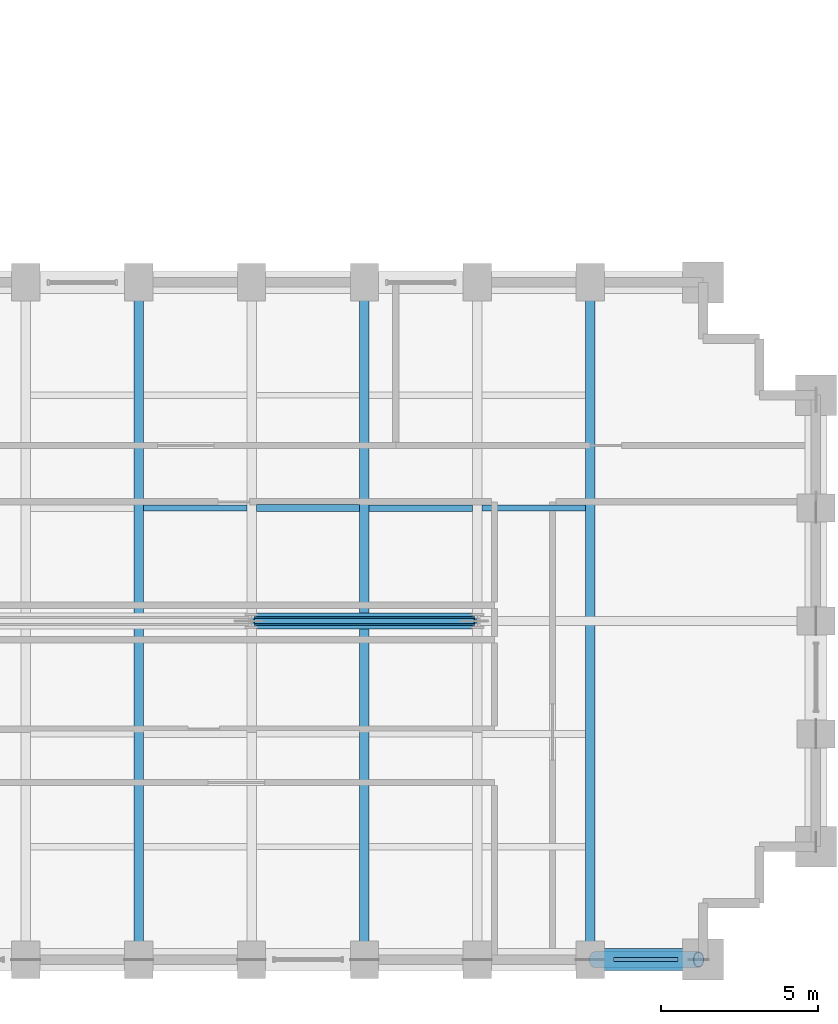
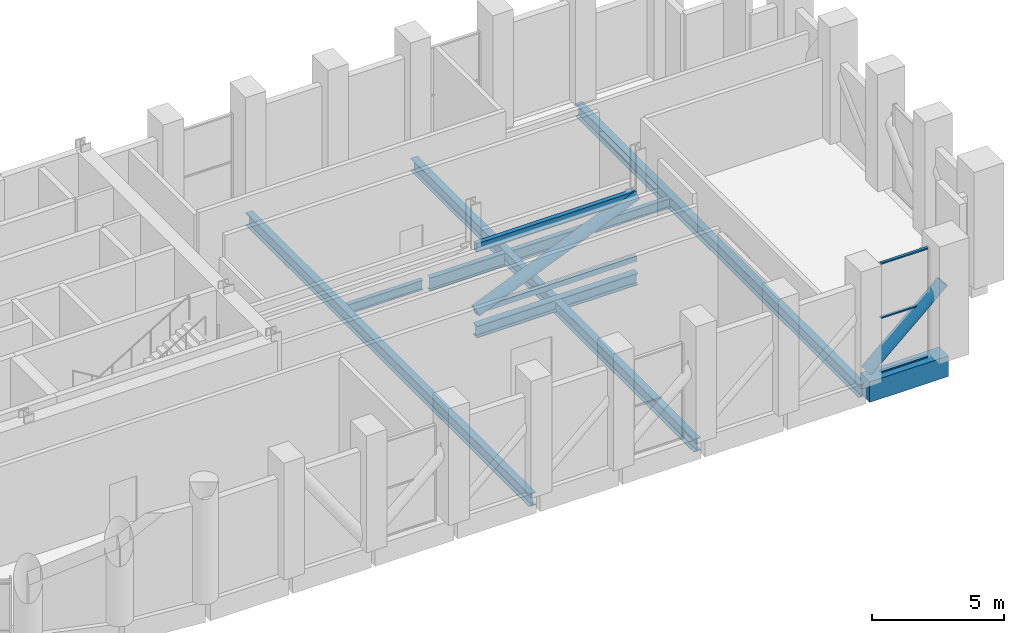
# One storey, part 12 of 27: 9 beams, 7 members, 1 element without a shape of its own.
"""IFC4 building model written with IfcOpenShell, lengths in metres."""

from ifc_helpers import new_model, si_unit, direction, frame, origin, origin_2d, place, context, subcontext, project, spatial, rectangle, hollow_rectangle, hollow_circle, i_section, extrude, material, layer, layer_set, material_profile, profile_set, type_object, element, aggregate, save


model = new_model("IFC4")

# Units and contexts
model_context = context("Model", 3, precision=1e-05, world=origin(), true_north=direction((0.0, 1.0)))
body_context = subcontext(model_context, "Body", "Model", "MODEL_VIEW")
ifc_project = project(units=[si_unit("LENGTHUNIT", "METRE"), si_unit("AREAUNIT", "SQUARE_METRE"), si_unit("VOLUMEUNIT", "CUBIC_METRE"), si_unit("PLANEANGLEUNIT", "RADIAN"), si_unit("MASSUNIT", "GRAM", prefix="KILO")], contexts=[model_context])

# Site, building, storey
site_placement = place(None, origin())
site = spatial("IfcSite", under=ifc_project, at=site_placement, CompositionType="ELEMENT")
building_placement = place(site_placement, origin())
building = spatial("IfcBuilding", under=site, at=building_placement, Name="Solnavia Interchange Tower", CompositionType="ELEMENT")
storey_placement = place(building_placement, frame((0.0, 0.0, 74.699951171875)))
storey = spatial("IfcBuildingStorey", under=building, at=storey_placement, Name="L18", CompositionType="ELEMENT", Elevation=74.699951171875)

# Beams
ifc_material_1 = material(Name="Steel S460", Category="steel")
ifc_material_profile_1 = material_profile(ifc_material_1, i_section(OverallWidth=0.300048828125, OverallDepth=0.550048828125, WebThickness=0.014892578125, FlangeThickness=0.029052734375, FilletRadius=0.027099609375, at=origin_2d()), Name="HEB 550")
ifc_profile_set_1 = profile_set([ifc_material_profile_1], Name="Steel S460")
beam_type_1 = type_object("IfcBeamType", Name="Beam-Girder-HEB550", PredefinedType="BEAM", material=ifc_profile_set_1)
beam_1_placement = place(storey_placement, frame((43.280029296875, 14.39990234375, -0.594970703125), z_axis=(1.0, 0.0, 0.0), x_axis=(0.0, 1.0, 0.0)))
element("IfcBeam", 1, at=beam_1_placement, inside=storey, type_object=beam_type_1, Name="GRD-L18-ES02 East wing spine girder", PredefinedType="BEAM", context=body_context, shape_type="SweptSolid", body=[
    extrude(i_section(OverallWidth=0.300048828125, OverallDepth=0.550048828125, WebThickness=0.014892578125, FlangeThickness=0.029052734375, FilletRadius=0.027099609375, at=origin_2d()), origin(), (0.0, 0.0, 1.0), 7.0400390625),
])
ifc_material_2 = material(Name="Steel S355", Category="steel")
ifc_material_profile_2 = material_profile(ifc_material_2, i_section(OverallWidth=0.18994140625, OverallDepth=0.449951171875, WebThickness=0.009521484375, FlangeThickness=0.0146484375, FilletRadius=0.02099609375, at=origin_2d()), Name="IPE 450")
ifc_profile_set_2 = profile_set([ifc_material_profile_2], Name="Steel S355")
beam_type_2 = type_object("IfcBeamType", Name="Beam-Joist-IPE450", PredefinedType="JOIST", material=ifc_profile_set_2)
for number, where, z_axis, x_axis, name in (
    (2, (39.75, 18.0, -0.544921875), (1.0, 0.0, 0.0), (0.0, 1.0, 0.0), "JST-L18-E12 East wing secondary joist"),
    (3, (50.550048828125, 18.0, -0.544921875), (1.0, 0.0, 0.0), (0.0, 1.0, 0.0), "JST-L18-E15 East wing secondary joist"),
):
    element("IfcBeam", number, at=place(storey_placement, frame(where, z_axis=z_axis, x_axis=x_axis)), inside=storey, type_object=beam_type_2, Name=name, PredefinedType="JOIST", context=body_context, shape_type="SweptSolid", body=[
        extrude(i_section(OverallWidth=0.18994140625, OverallDepth=0.449951171875, WebThickness=0.009521484375, FlangeThickness=0.0146484375, FilletRadius=0.02099609375, at=origin_2d()), origin(), (0.0, 0.0, 1.0), 3.300048828125),
    ])
ifc_material_profile_3 = material_profile(ifc_material_2, i_section(OverallWidth=0.2099609375, OverallDepth=0.550048828125, WebThickness=0.010986328125, FlangeThickness=0.01708984375, FilletRadius=0.02392578125, at=origin_2d()), Name="IPE 550")
ifc_profile_set_3 = profile_set([ifc_material_profile_3], Name="Steel S355")
beam_type_3 = type_object("IfcBeamType", Name="Beam-Joist-IPE550", PredefinedType="JOIST", material=ifc_profile_set_3)
beam_2_placement = place(storey_placement, frame((46.949951171875, 18.0, -0.594970703125), z_axis=(1.0, 0.0, 0.0), x_axis=(0.0, 1.0, 0.0)))
element("IfcBeam", 4, at=beam_2_placement, inside=storey, type_object=beam_type_3, Name="JST-L18-E14 East wing secondary joist", PredefinedType="JOIST", context=body_context, shape_type="SweptSolid", body=[
    extrude(i_section(OverallWidth=0.2099609375, OverallDepth=0.550048828125, WebThickness=0.010986328125, FlangeThickness=0.01708984375, FilletRadius=0.02392578125, at=origin_2d()), origin(), (0.0, 0.0, 1.0), 3.300048828125),
])
ifc_material_profile_4 = material_profile(ifc_material_2, i_section(OverallWidth=0.219970703125, OverallDepth=0.60009765625, WebThickness=0.011962890625, FlangeThickness=0.01904296875, FilletRadius=0.02392578125, at=origin_2d()), Name="IPE 600")
ifc_profile_set_4 = profile_set([ifc_material_profile_4], Name="Steel S355")
beam_type_4 = type_object("IfcBeamType", Name="Beam-Joist-IPE600", PredefinedType="JOIST", material=ifc_profile_set_4)
beam_3_placement = place(storey_placement, frame((43.35009765625, 18.0, -0.619873046875), z_axis=(1.0, 0.0, 0.0), x_axis=(0.0, 1.0, 0.0)))
element("IfcBeam", 5, at=beam_3_placement, inside=storey, type_object=beam_type_4, Name="JST-L18-E13 East wing secondary joist", PredefinedType="JOIST", context=body_context, shape_type="SweptSolid", body=[
    extrude(i_section(OverallWidth=0.219970703125, OverallDepth=0.60009765625, WebThickness=0.011962890625, FlangeThickness=0.01904296875, FilletRadius=0.02392578125, at=origin_2d()), origin(), (0.0, 0.0, 1.0), 3.2998046875),
])
ifc_material_profile_5 = material_profile(ifc_material_2, i_section(OverallWidth=0.300048828125, OverallDepth=0.590087890625, WebThickness=0.012939453125, FlangeThickness=0.02490234375, FilletRadius=0.027099609375, at=origin_2d()), Name="HEA 600")
ifc_profile_set_5 = profile_set([ifc_material_profile_5], Name="Steel S355")
beam_type_5 = type_object("IfcBeamType", Name="Beam-Primary-HEA600", PredefinedType="BEAM", material=ifc_profile_set_5)
for number, where, z_axis, x_axis, name in (
    (6, (39.60009765625, 3.679931640625, -0.614990234375), (0.0, 1.0, 0.0), (-1.0, 0.0, 0.0), "GRD-L18-EW05 East wing primary floor girder"),
    (7, (46.800048828125, 3.679931640625, -0.614990234375), (0.0, 1.0, 0.0), (-1.0, 0.0, 0.0), "GRD-L18-EW08 East wing primary floor girder"),
    (8, (54.0, 3.679931640625, -0.614990234375), (0.0, 1.0, 0.0), (-1.0, 0.0, 0.0), "GRD-L18-EW11 East wing primary floor girder"),
):
    element("IfcBeam", number, at=place(storey_placement, frame(where, z_axis=z_axis, x_axis=x_axis)), inside=storey, type_object=beam_type_5, Name=name, PredefinedType="BEAM", context=body_context, shape_type="SweptSolid", body=[
        extrude(i_section(OverallWidth=0.300048828125, OverallDepth=0.590087890625, WebThickness=0.012939453125, FlangeThickness=0.02490234375, FilletRadius=0.027099609375, at=origin_2d()), origin(), (0.0, 0.0, 1.0), 21.440185546875),
    ])
ifc_material_3 = material(Name="Concrete C50/60", Category="concrete")
ifc_material_profile_6 = material_profile(ifc_material_3, rectangle(XDim=0.699951171875, YDim=0.949951171875, at=origin_2d()), Name="RC 700x950")
ifc_profile_set_6 = profile_set([ifc_material_profile_6], Name="Concrete C50/60")
beam_type_6 = type_object("IfcBeamType", Name="Beam-Spandrel-RC700x950", PredefinedType="SPANDREL", material=ifc_profile_set_6)
beam_4_placement = place(storey_placement, frame((54.080078125, 3.60009765625, -0.474853515625), z_axis=(1.0, 0.0, 0.0), x_axis=(0.0, 1.0, 0.0)))
element("IfcBeam", 9, at=beam_4_placement, inside=storey, type_object=beam_type_6, Name="SPB-L18-17 Framed-tube perimeter spandrel beam", PredefinedType="SPANDREL", context=body_context, shape_type="SweptSolid", body=[
    extrude(rectangle(XDim=0.699951171875, YDim=0.949951171875, at=origin_2d()), origin(), (0.0, 0.0, 1.0), 3.43994140625),
])

# Curtain wall, members
ifc_material_4 = material(Name="Aluminium Alloy 6063-T6", Category="aluminium")
ifc_layer = layer(ifc_material_4, 0.199951171875)
ifc_layer_set = layer_set([ifc_layer], Name="Aluminium Alloy 6063-T6")
curtain_wall_type = type_object("IfcCurtainWallType", Name="CurtainWall-Louvre-CTW5", PredefinedType="NOTDEFINED", material=ifc_layer_set)
curtain_wall_placement = place(storey_placement, origin())
curtain_wall = element("IfcCurtainWall", 10, at=curtain_wall_placement, inside=storey, type_object=curtain_wall_type, Name="CTW-L18-L09 CTW-5 curtain wall", PredefinedType="NOTDEFINED")
ifc_material_profile_7 = material_profile(ifc_material_4, hollow_rectangle(XDim=0.06005859375, YDim=0.1201171875, WallThickness=0.00390625, at=origin_2d()), Name="ALU 120x60x4")
ifc_profile_set_7 = profile_set([ifc_material_profile_7], Name="Aluminium Alloy 6063-T6")
member_type_1 = type_object("IfcMemberType", Name="CW-Transom-CWT-5", PredefinedType="USERDEFINED", material=ifc_profile_set_7)
member_1_placement = place(storey_placement, frame((54.74755859375, 3.60009765625, 0.030029296875), z_axis=(1.0, 0.0, 0.0), x_axis=(0.0, 0.0, 1.0)))
member_1 = element("IfcMember", 11, at=member_1_placement, type_object=member_type_1, Name="CTW-5 transom 1.1", ObjectType="TRANSOM", PredefinedType="USERDEFINED", context=body_context, shape_type="SweptSolid", body=[
    extrude(hollow_rectangle(XDim=0.06005859375, YDim=0.1201171875, WallThickness=0.00390625, at=origin_2d()), origin(), (0.0, 0.0, 1.0), 2.054931640625),
])
member_2_placement = place(storey_placement, frame((54.74755859375, 3.60009765625, 2.532958984375), z_axis=(1.0, 0.0, 0.0), x_axis=(0.0, 0.0, 1.0)))
member_2 = element("IfcMember", 12, at=member_2_placement, type_object=member_type_1, Name="CTW-5 transom 1.2", ObjectType="TRANSOM", PredefinedType="USERDEFINED", context=body_context, shape_type="SweptSolid", body=[
    extrude(hollow_rectangle(XDim=0.06005859375, YDim=0.1201171875, WallThickness=0.00390625, at=origin_2d()), origin(), (0.0, 0.0, 1.0), 2.054931640625),
])
member_3_placement = place(storey_placement, frame((54.74755859375, 3.60009765625, 5.03515625), z_axis=(1.0, 0.0, 0.0), x_axis=(0.0, 0.0, 1.0)))
member_3 = element("IfcMember", 13, at=member_3_placement, type_object=member_type_1, Name="CTW-5 transom 1.3", ObjectType="TRANSOM", PredefinedType="USERDEFINED", context=body_context, shape_type="SweptSolid", body=[
    extrude(hollow_rectangle(XDim=0.06005859375, YDim=0.1201171875, WallThickness=0.00390625, at=origin_2d()), origin(), (0.0, 0.0, 1.0), 2.054931640625),
])
aggregate(curtain_wall, [member_1, member_2, member_3])

# Members
ifc_material_profile_8 = material_profile(ifc_material_2, hollow_rectangle(XDim=0.14990234375, YDim=0.25, WallThickness=0.010009765625, at=origin_2d()), Name="RHS 250x150x10")
ifc_profile_set_8 = profile_set([ifc_material_profile_8], Name="Steel S355")
member_type_2 = type_object("IfcMemberType", Name="Outrigger-Chord-RHS250", PredefinedType="CHORD", material=ifc_profile_set_8)
member_4_placement = place(storey_placement, frame((43.300048828125, 14.39990234375, 0.300048828125), z_axis=(1.0, 0.0, 0.0), x_axis=(0.0, 1.0, 0.0)))
element("IfcMember", 14, at=member_4_placement, inside=storey, type_object=member_type_2, Name="OTR-L18-BC02 Outrigger bottom chord", PredefinedType="CHORD", context=body_context, shape_type="SweptSolid", body=[
    extrude(hollow_rectangle(XDim=0.14990234375, YDim=0.25, WallThickness=0.010009765625, at=origin_2d()), origin(), (0.0, 0.0, 1.0), 7.0),
])
ifc_material_profile_9 = material_profile(ifc_material_1, hollow_rectangle(XDim=0.199951171875, YDim=0.39990234375, WallThickness=0.01611328125, at=origin_2d()), Name="RHS 400x200x16")
ifc_profile_set_9 = profile_set([ifc_material_profile_9], Name="Steel S460")
member_type_3 = type_object("IfcMemberType", Name="Outrigger-Chord-RHS400", PredefinedType="CHORD", material=ifc_profile_set_9)
member_5_placement = place(storey_placement, frame((43.300048828125, 14.39990234375, 3.25), z_axis=(1.0, 0.0, 0.0), x_axis=(0.0, 1.0, 0.0)))
element("IfcMember", 15, at=member_5_placement, inside=storey, type_object=member_type_3, Name="OTR-L18-TC02 Outrigger top chord", PredefinedType="CHORD", context=body_context, shape_type="SweptSolid", body=[
    extrude(hollow_rectangle(XDim=0.199951171875, YDim=0.39990234375, WallThickness=0.01611328125, at=origin_2d()), origin(), (0.0, 0.0, 1.0), 7.0),
])
ifc_material_profile_10 = material_profile(ifc_material_1, hollow_circle(Radius=0.25390625, WallThickness=0.02490234375, at=origin_2d()), Name="CHS 508x25")
ifc_profile_set_10 = profile_set([ifc_material_profile_10], Name="Steel S460")
member_type_4 = type_object("IfcMemberType", Name="Outrigger-Diag-CHS508", PredefinedType="BRACE", material=ifc_profile_set_10)
member_6_placement = place(storey_placement, frame((43.300048828125, 14.39990234375, 0.300048828125), z_axis=(0.921513727827, 0.0, 0.3883457859), x_axis=(0.0, 1.0, 0.0)))
element("IfcMember", 16, at=member_6_placement, inside=storey, type_object=member_type_4, Name="OTR-L18-DG02 Outrigger truss diagonal", PredefinedType="BRACE", context=body_context, shape_type="SweptSolid", body=[
    extrude(hollow_circle(Radius=0.25390625, WallThickness=0.02490234375, at=origin_2d()), origin(), (0.0, 0.0, 1.0), 7.59619140625),
])
member_7_placement = place(storey_placement, frame((54.139892578125, 3.60009765625, 0.300048828125), z_axis=(0.747545781752, 0.0, 0.664210286118), x_axis=(0.0, 1.0, 0.0)))
element("IfcMember", 17, at=member_7_placement, inside=storey, type_object=member_type_4, Name="OTR-L18-BT07 Belt truss diagonal", PredefinedType="BRACE", context=body_context, shape_type="SweptSolid", body=[
    extrude(hollow_circle(Radius=0.25390625, WallThickness=0.02490234375, at=origin_2d()), origin(), (0.0, 0.0, 1.0), 4.44140625),
])

save(model, "model.ifc")
